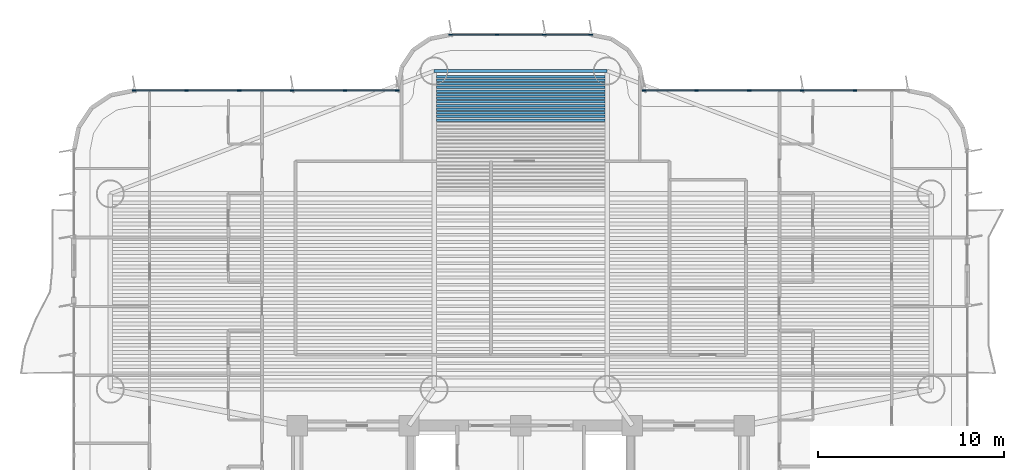
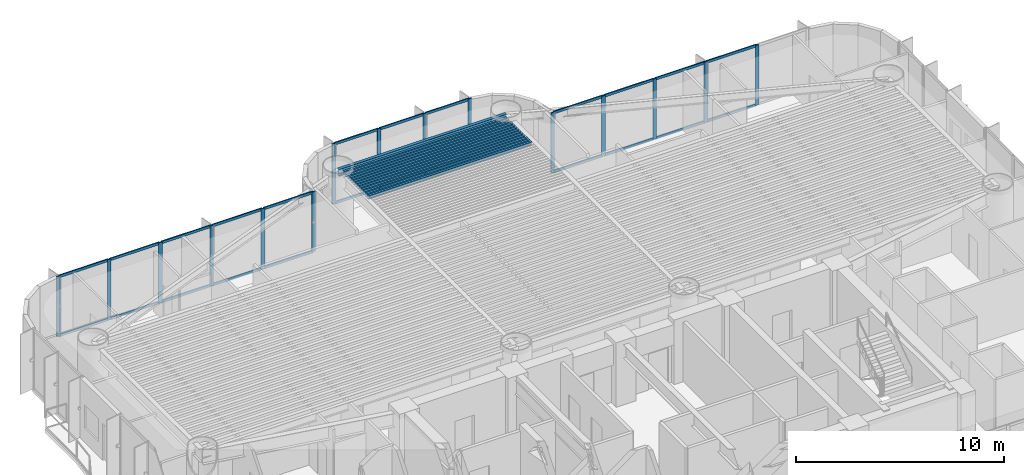
# One storey, part 7 of 19: 39 members, 14 beams, 3 elements without a shape of their own.
"""IFC4 building model written with IfcOpenShell, lengths in metres."""

from ifc_helpers import new_model, si_unit, direction, frame, origin, origin_2d, place, context, subcontext, project, spatial, rectangle, i_section, extrude, source, transform, mapped, material, layer, layer_set, material_profile, profile_set, type_object, element, aggregate, save


model = new_model("IFC4")

# Units and contexts
model_context = context("Model", 3, precision=1e-05, world=origin(), true_north=direction((0.0, 1.0)))
body_context = subcontext(model_context, "Body", "Model", "MODEL_VIEW")
ifc_project = project(units=[si_unit("LENGTHUNIT", "METRE"), si_unit("AREAUNIT", "SQUARE_METRE"), si_unit("VOLUMEUNIT", "CUBIC_METRE"), si_unit("PLANEANGLEUNIT", "RADIAN"), si_unit("MASSUNIT", "GRAM", prefix="KILO")], contexts=[model_context])

# Site, building, storey
site_placement = place(None, origin())
site = spatial("IfcSite", under=ifc_project, at=site_placement, CompositionType="ELEMENT")
building_placement = place(site_placement, origin())
building = spatial("IfcBuilding", under=site, at=building_placement, Name="Brelvock Crest Care Tower", CompositionType="ELEMENT")
storey_placement = place(building_placement, frame((0.0, 0.0, 34.56005859375)))
storey = spatial("IfcBuildingStorey", under=building, at=storey_placement, Name="L08", CompositionType="ELEMENT", Elevation=34.56005859375)

# Beams
ifc_material_1 = material(Name="Steel Grade 350", Category="steel")
ifc_material_profile_1 = material_profile(ifc_material_1, i_section(OverallWidth=0.177978515625, OverallDepth=0.406005859375, WebThickness=0.0078125, FlangeThickness=0.0126953125, FilletRadius=0.011474609375, at=origin_2d()), Name="410UB59.7")
ifc_profile_set_1 = profile_set([ifc_material_profile_1], Name="Steel Grade 350")
beam_type_1 = type_object("IfcBeamType", Name="BM-SP1", PredefinedType="SPANDREL", material=ifc_profile_set_1)
shared_shape_1 = source(origin(), body_context, "Body", "SweptSolid", [
    extrude(i_section(OverallWidth=0.177978515625, OverallDepth=0.406005859375, WebThickness=0.0078125, FlangeThickness=0.0126953125, FilletRadius=0.011474609375, at=origin_2d()), origin(), (0.0, 0.0, 1.0), 9.2998046875),
])
beam_placement = place(storey_placement, frame((31.35009765625, 37.050048828125, 3.326904296875), z_axis=(1.0, 0.0, 0.0), x_axis=(0.0, 1.0, 0.0)))
element("IfcBeam", 1, at=beam_placement, inside=storey, type_object=beam_type_1, Name="BM-TWR-L08-08", PredefinedType="SPANDREL", context=body_context, shape_type="MappedRepresentation", body=[
    mapped(shared_shape_1, transform((0.0, 0.0, 0.0), x_axis=(1.0, 0.0, 0.0), y_axis=(0.0, 1.0, 0.0), z_axis=(0.0, 0.0, 1.0), scale=1.0)),
])
ifc_material_profile_2 = material_profile(ifc_material_1, i_section(OverallWidth=0.134033203125, OverallDepth=0.20703125, WebThickness=0.00634765625, FlangeThickness=0.009521484375, FilletRadius=0.0087890625, at=origin_2d()), Name="200UB29.8")
ifc_profile_set_2 = profile_set([ifc_material_profile_2], Name="Steel Grade 350")
beam_type_2 = type_object("IfcBeamType", Name="BM-J4", PredefinedType="JOIST", material=ifc_profile_set_2)
shared_shape_2 = source(origin(), body_context, "Body", "SweptSolid", [
    extrude(i_section(OverallWidth=0.134033203125, OverallDepth=0.20703125, WebThickness=0.00634765625, FlangeThickness=0.009521484375, FilletRadius=0.0087890625, at=origin_2d()), origin(), (0.0, 0.0, 1.0), 9.06982421875),
])
for number, where, z_axis, x_axis, name in (
    (2, (31.465087890625, 34.413330078125, 3.426513671875), (1.0, 0.0, 0.0), (0.0, 1.0, 0.0), "BM-JN-L08-20"),
    (3, (31.465087890625, 34.60791015625, 3.426513671875), (1.0, 0.0, 0.0), (0.0, 1.0, 0.0), "BM-JN-L08-21"),
    (4, (31.465087890625, 34.802734375, 3.426513671875), (1.0, 0.0, 0.0), (0.0, 1.0, 0.0), "BM-JN-L08-22"),
    (5, (31.465087890625, 34.997314453125, 3.426513671875), (1.0, 0.0, 0.0), (0.0, 1.0, 0.0), "BM-JN-L08-23"),
    (6, (31.465087890625, 35.192138671875, 3.426513671875), (1.0, 0.0, 0.0), (0.0, 1.0, 0.0), "BM-JN-L08-24"),
    (7, (31.465087890625, 35.38671875, 3.426513671875), (1.0, 0.0, 0.0), (0.0, 1.0, 0.0), "BM-JN-L08-25"),
    (8, (31.465087890625, 35.58154296875, 3.426513671875), (1.0, 0.0, 0.0), (0.0, 1.0, 0.0), "BM-JN-L08-26"),
    (9, (31.465087890625, 35.776123046875, 3.426513671875), (1.0, 0.0, 0.0), (0.0, 1.0, 0.0), "BM-JN-L08-27"),
    (10, (31.465087890625, 35.970947265625, 3.426513671875), (1.0, 0.0, 0.0), (0.0, 1.0, 0.0), "BM-JN-L08-28"),
    (11, (31.465087890625, 36.16552734375, 3.426513671875), (1.0, 0.0, 0.0), (0.0, 1.0, 0.0), "BM-JN-L08-29"),
    (12, (31.465087890625, 36.3603515625, 3.426513671875), (1.0, 0.0, 0.0), (0.0, 1.0, 0.0), "BM-JN-L08-30"),
    (13, (31.465087890625, 36.554931640625, 3.426513671875), (1.0, 0.0, 0.0), (0.0, 1.0, 0.0), "BM-JN-L08-31"),
    (14, (31.465087890625, 36.749755859375, 3.426513671875), (1.0, 0.0, 0.0), (0.0, 1.0, 0.0), "BM-JN-L08-32"),
):
    element("IfcBeam", number, at=place(storey_placement, frame(where, z_axis=z_axis, x_axis=x_axis)), inside=storey, type_object=beam_type_2, Name=name, PredefinedType="JOIST", context=body_context, shape_type="MappedRepresentation", body=[
        mapped(shared_shape_2, transform((0.0, 0.0, 0.0), x_axis=(1.0, 0.0, 0.0), y_axis=(0.0, 1.0, 0.0), z_axis=(0.0, 0.0, 1.0), scale=1.0)),
    ])

# Curtain wall, members
ifc_material_2 = material(Name="Dark Glass Double Glazed Low-E", Category="glass")
ifc_layer = layer(ifc_material_2, 0.195068359375, Name="CWS-2")
ifc_layer_set = layer_set([ifc_layer], Name="Dark Glass Double Glazed Low-E")
curtain_wall_type = type_object("IfcCurtainWallType", Name="CWS-2", PredefinedType="NOTDEFINED", material=ifc_layer_set)
curtain_wall_1_placement = place(storey_placement, origin())
curtain_wall_1 = element("IfcCurtainWall", 15, at=curtain_wall_1_placement, inside=storey, type_object=curtain_wall_type, Name="L08 Curtain Wall E18", PredefinedType="NOTDEFINED")
ifc_material_3 = material(Name="Aluminium 6063-T6", Category="aluminium")
ifc_material_profile_3 = material_profile(ifc_material_3, rectangle(XDim=0.06494140625, YDim=0.199951171875, at=origin_2d()), Name="ALU65x200")
ifc_profile_set_3 = profile_set([ifc_material_profile_3], Name="Aluminium 6063-T6")
member_type_1 = type_object("IfcMemberType", Name="CWM-1", PredefinedType="MULLION", material=ifc_profile_set_3)
shared_shape_3 = source(origin(), body_context, "Body", "SweptSolid", [
    extrude(rectangle(XDim=0.06494140625, YDim=0.199951171875, at=origin_2d()), origin(), (0.0, 0.0, 1.0), 3.530029296875),
])
member_1_placement = place(storey_placement, frame((15.232421875, 36.0, 0.0), z_axis=(0.0, 0.0, 1.0), x_axis=(0.0, 1.0, 0.0)))
member_1 = element("IfcMember", 16, at=member_1_placement, type_object=member_type_1, Name="CW-2 mullion 1", PredefinedType="MULLION", context=body_context, shape_type="MappedRepresentation", body=[
    mapped(shared_shape_3, transform((0.0, 0.0, 0.0), x_axis=(1.0, 0.0, 0.0), y_axis=(0.0, 1.0, 0.0), z_axis=(0.0, 0.0, 1.0), scale=1.0)),
])
member_2_placement = place(storey_placement, frame((18.0400390625, 36.0, 0.0), z_axis=(0.0, 0.0, 1.0), x_axis=(0.0, 1.0, 0.0)))
member_2 = element("IfcMember", 17, at=member_2_placement, type_object=member_type_1, Name="CW-2 mullion 2", PredefinedType="MULLION", context=body_context, shape_type="MappedRepresentation", body=[
    mapped(shared_shape_3, transform((0.0, 0.0, 0.0), x_axis=(1.0, 0.0, 0.0), y_axis=(0.0, 1.0, 0.0), z_axis=(0.0, 0.0, 1.0), scale=1.0)),
])
member_3_placement = place(storey_placement, frame((20.8798828125, 36.0, 0.0), z_axis=(0.0, 0.0, 1.0), x_axis=(0.0, 1.0, 0.0)))
member_3 = element("IfcMember", 18, at=member_3_placement, type_object=member_type_1, Name="CW-2 mullion 3", PredefinedType="MULLION", context=body_context, shape_type="MappedRepresentation", body=[
    mapped(shared_shape_3, transform((0.0, 0.0, 0.0), x_axis=(1.0, 0.0, 0.0), y_axis=(0.0, 1.0, 0.0), z_axis=(0.0, 0.0, 1.0), scale=1.0)),
])
member_4_placement = place(storey_placement, frame((23.719970703125, 36.0, 0.0), z_axis=(0.0, 0.0, 1.0), x_axis=(0.0, 1.0, 0.0)))
member_4 = element("IfcMember", 19, at=member_4_placement, type_object=member_type_1, Name="CW-2 mullion 4", PredefinedType="MULLION", context=body_context, shape_type="MappedRepresentation", body=[
    mapped(shared_shape_3, transform((0.0, 0.0, 0.0), x_axis=(1.0, 0.0, 0.0), y_axis=(0.0, 1.0, 0.0), z_axis=(0.0, 0.0, 1.0), scale=1.0)),
])
member_5_placement = place(storey_placement, frame((26.56005859375, 36.0, 0.0), z_axis=(0.0, 0.0, 1.0), x_axis=(0.0, 1.0, 0.0)))
member_5 = element("IfcMember", 20, at=member_5_placement, type_object=member_type_1, Name="CW-2 mullion 5", PredefinedType="MULLION", context=body_context, shape_type="MappedRepresentation", body=[
    mapped(shared_shape_3, transform((0.0, 0.0, 0.0), x_axis=(1.0, 0.0, 0.0), y_axis=(0.0, 1.0, 0.0), z_axis=(0.0, 0.0, 1.0), scale=1.0)),
])
member_6_placement = place(storey_placement, frame((29.367431640625, 36.0, 0.0), z_axis=(0.0, 0.0, 1.0), x_axis=(0.0, 1.0, 0.0)))
member_6 = element("IfcMember", 21, at=member_6_placement, type_object=member_type_1, Name="CW-2 mullion 6", PredefinedType="MULLION", context=body_context, shape_type="MappedRepresentation", body=[
    mapped(shared_shape_3, transform((0.0, 0.0, 0.0), x_axis=(1.0, 0.0, 0.0), y_axis=(0.0, 1.0, 0.0), z_axis=(0.0, 0.0, 1.0), scale=1.0)),
])

curtain_wall_2_placement = place(storey_placement, origin())
curtain_wall_2 = element("IfcCurtainWall", 22, at=curtain_wall_2_placement, inside=storey, type_object=curtain_wall_type, Name="L08 Curtain Wall E24", PredefinedType="NOTDEFINED")
member_7_placement = place(storey_placement, frame((32.232421875, 39.0, 0.0), z_axis=(0.0, 0.0, 1.0), x_axis=(0.0, 1.0, 0.0)))
member_7 = element("IfcMember", 23, at=member_7_placement, type_object=member_type_1, Name="CW-2 mullion 1", PredefinedType="MULLION", context=body_context, shape_type="MappedRepresentation", body=[
    mapped(shared_shape_3, transform((0.0, 0.0, 0.0), x_axis=(1.0, 0.0, 0.0), y_axis=(0.0, 1.0, 0.0), z_axis=(0.0, 0.0, 1.0), scale=1.0)),
])
member_8_placement = place(storey_placement, frame((34.7333984375, 39.0, 0.0), z_axis=(0.0, 0.0, 1.0), x_axis=(0.0, 1.0, 0.0)))
member_8 = element("IfcMember", 24, at=member_8_placement, type_object=member_type_1, Name="CW-2 mullion 2", PredefinedType="MULLION", context=body_context, shape_type="MappedRepresentation", body=[
    mapped(shared_shape_3, transform((0.0, 0.0, 0.0), x_axis=(1.0, 0.0, 0.0), y_axis=(0.0, 1.0, 0.0), z_axis=(0.0, 0.0, 1.0), scale=1.0)),
])
member_9_placement = place(storey_placement, frame((37.2666015625, 39.0, 0.0), z_axis=(0.0, 0.0, 1.0), x_axis=(0.0, 1.0, 0.0)))
member_9 = element("IfcMember", 25, at=member_9_placement, type_object=member_type_1, Name="CW-2 mullion 3", PredefinedType="MULLION", context=body_context, shape_type="MappedRepresentation", body=[
    mapped(shared_shape_3, transform((0.0, 0.0, 0.0), x_axis=(1.0, 0.0, 0.0), y_axis=(0.0, 1.0, 0.0), z_axis=(0.0, 0.0, 1.0), scale=1.0)),
])
member_10_placement = place(storey_placement, frame((39.767578125, 39.0, 0.0), z_axis=(0.0, 0.0, 1.0), x_axis=(0.0, 1.0, 0.0)))
member_10 = element("IfcMember", 26, at=member_10_placement, type_object=member_type_1, Name="CW-2 mullion 4", PredefinedType="MULLION", context=body_context, shape_type="MappedRepresentation", body=[
    mapped(shared_shape_3, transform((0.0, 0.0, 0.0), x_axis=(1.0, 0.0, 0.0), y_axis=(0.0, 1.0, 0.0), z_axis=(0.0, 0.0, 1.0), scale=1.0)),
])

curtain_wall_3_placement = place(storey_placement, origin())
curtain_wall_3 = element("IfcCurtainWall", 27, at=curtain_wall_3_placement, inside=storey, type_object=curtain_wall_type, Name="L08 Curtain Wall E30", PredefinedType="NOTDEFINED")
member_11_placement = place(storey_placement, frame((42.632568359375, 36.0, 0.0), z_axis=(0.0, 0.0, 1.0), x_axis=(0.0, 1.0, 0.0)))
member_11 = element("IfcMember", 28, at=member_11_placement, type_object=member_type_1, Name="CW-2 mullion 1", PredefinedType="MULLION", context=body_context, shape_type="MappedRepresentation", body=[
    mapped(shared_shape_3, transform((0.0, 0.0, 0.0), x_axis=(1.0, 0.0, 0.0), y_axis=(0.0, 1.0, 0.0), z_axis=(0.0, 0.0, 1.0), scale=1.0)),
])
member_12_placement = place(storey_placement, frame((45.43994140625, 36.0, 0.0), z_axis=(0.0, 0.0, 1.0), x_axis=(0.0, 1.0, 0.0)))
member_12 = element("IfcMember", 29, at=member_12_placement, type_object=member_type_1, Name="CW-2 mullion 2", PredefinedType="MULLION", context=body_context, shape_type="MappedRepresentation", body=[
    mapped(shared_shape_3, transform((0.0, 0.0, 0.0), x_axis=(1.0, 0.0, 0.0), y_axis=(0.0, 1.0, 0.0), z_axis=(0.0, 0.0, 1.0), scale=1.0)),
])
member_13_placement = place(storey_placement, frame((48.280029296875, 36.0, 0.0), z_axis=(0.0, 0.0, 1.0), x_axis=(0.0, 1.0, 0.0)))
member_13 = element("IfcMember", 30, at=member_13_placement, type_object=member_type_1, Name="CW-2 mullion 3", PredefinedType="MULLION", context=body_context, shape_type="MappedRepresentation", body=[
    mapped(shared_shape_3, transform((0.0, 0.0, 0.0), x_axis=(1.0, 0.0, 0.0), y_axis=(0.0, 1.0, 0.0), z_axis=(0.0, 0.0, 1.0), scale=1.0)),
])
member_14_placement = place(storey_placement, frame((51.1201171875, 36.0, 0.0), z_axis=(0.0, 0.0, 1.0), x_axis=(0.0, 1.0, 0.0)))
member_14 = element("IfcMember", 31, at=member_14_placement, type_object=member_type_1, Name="CW-2 mullion 4", PredefinedType="MULLION", context=body_context, shape_type="MappedRepresentation", body=[
    mapped(shared_shape_3, transform((0.0, 0.0, 0.0), x_axis=(1.0, 0.0, 0.0), y_axis=(0.0, 1.0, 0.0), z_axis=(0.0, 0.0, 1.0), scale=1.0)),
])
member_15_placement = place(storey_placement, frame((53.9599609375, 36.0, 0.0), z_axis=(0.0, 0.0, 1.0), x_axis=(0.0, 1.0, 0.0)))
member_15 = element("IfcMember", 32, at=member_15_placement, type_object=member_type_1, Name="CW-2 mullion 5", PredefinedType="MULLION", context=body_context, shape_type="MappedRepresentation", body=[
    mapped(shared_shape_3, transform((0.0, 0.0, 0.0), x_axis=(1.0, 0.0, 0.0), y_axis=(0.0, 1.0, 0.0), z_axis=(0.0, 0.0, 1.0), scale=1.0)),
])

# Member
ifc_material_profile_4 = material_profile(ifc_material_3, rectangle(XDim=0.06494140625, YDim=0.14990234375, at=origin_2d()), Name="ALU65x150")
ifc_profile_set_4 = profile_set([ifc_material_profile_4], Name="Aluminium 6063-T6")
member_type_2 = type_object("IfcMemberType", Name="CWT-1", PredefinedType="USERDEFINED", material=ifc_profile_set_4)
shared_shape_4 = source(origin(), body_context, "Body", "SweptSolid", [
    extrude(rectangle(XDim=0.06494140625, YDim=0.14990234375, at=origin_2d()), origin(), (0.0, 0.0, 1.0), 2.74267578125),
])
member_16_placement = place(storey_placement, frame((15.264892578125, 36.0, 0.032470703125), z_axis=(1.0, 0.0, 0.0), x_axis=(0.0, 1.0, 0.0)))
member_16 = element("IfcMember", 33, at=member_16_placement, type_object=member_type_2, Name="CW-2 transom 1.1", ObjectType="TRANSOM", PredefinedType="USERDEFINED", context=body_context, shape_type="MappedRepresentation", body=[
    mapped(shared_shape_4, transform((0.0, 0.0, 0.0), x_axis=(1.0, 0.0, 0.0), y_axis=(0.0, 1.0, 0.0), z_axis=(0.0, 0.0, 1.0), scale=1.0)),
])

member_17_placement = place(storey_placement, frame((15.264892578125, 36.0, 3.49755859375), z_axis=(1.0, 0.0, 0.0), x_axis=(0.0, 1.0, 0.0)))
member_17 = element("IfcMember", 34, at=member_17_placement, type_object=member_type_2, Name="CW-2 transom 1.2", ObjectType="TRANSOM", PredefinedType="USERDEFINED", context=body_context, shape_type="MappedRepresentation", body=[
    mapped(shared_shape_4, transform((0.0, 0.0, 0.0), x_axis=(1.0, 0.0, 0.0), y_axis=(0.0, 1.0, 0.0), z_axis=(0.0, 0.0, 1.0), scale=1.0)),
])

shared_shape_5 = source(origin(), body_context, "Body", "SweptSolid", [
    extrude(rectangle(XDim=0.06494140625, YDim=0.14990234375, at=origin_2d()), origin(), (0.0, 0.0, 1.0), 2.77490234375),
])
member_18_placement = place(storey_placement, frame((18.072509765625, 36.0, 0.032470703125), z_axis=(1.0, 0.0, 0.0), x_axis=(0.0, 1.0, 0.0)))
member_18 = element("IfcMember", 35, at=member_18_placement, type_object=member_type_2, Name="CW-2 transom 2.1", ObjectType="TRANSOM", PredefinedType="USERDEFINED", context=body_context, shape_type="MappedRepresentation", body=[
    mapped(shared_shape_5, transform((0.0, 0.0, 0.0), x_axis=(1.0, 0.0, 0.0), y_axis=(0.0, 1.0, 0.0), z_axis=(0.0, 0.0, 1.0), scale=1.0)),
])

member_19_placement = place(storey_placement, frame((18.072509765625, 36.0, 3.49755859375), z_axis=(1.0, 0.0, 0.0), x_axis=(0.0, 1.0, 0.0)))
member_19 = element("IfcMember", 36, at=member_19_placement, type_object=member_type_2, Name="CW-2 transom 2.2", ObjectType="TRANSOM", PredefinedType="USERDEFINED", context=body_context, shape_type="MappedRepresentation", body=[
    mapped(shared_shape_5, transform((0.0, 0.0, 0.0), x_axis=(1.0, 0.0, 0.0), y_axis=(0.0, 1.0, 0.0), z_axis=(0.0, 0.0, 1.0), scale=1.0)),
])

member_20_placement = place(storey_placement, frame((20.91259765625, 36.0, 0.032470703125), z_axis=(1.0, 0.0, 0.0), x_axis=(0.0, 1.0, 0.0)))
member_20 = element("IfcMember", 37, at=member_20_placement, type_object=member_type_2, Name="CW-2 transom 3.1", ObjectType="TRANSOM", PredefinedType="USERDEFINED", context=body_context, shape_type="MappedRepresentation", body=[
    mapped(shared_shape_5, transform((0.0, 0.0, 0.0), x_axis=(1.0, 0.0, 0.0), y_axis=(0.0, 1.0, 0.0), z_axis=(0.0, 0.0, 1.0), scale=1.0)),
])

member_21_placement = place(storey_placement, frame((20.91259765625, 36.0, 3.49755859375), z_axis=(1.0, 0.0, 0.0), x_axis=(0.0, 1.0, 0.0)))
member_21 = element("IfcMember", 38, at=member_21_placement, type_object=member_type_2, Name="CW-2 transom 3.2", ObjectType="TRANSOM", PredefinedType="USERDEFINED", context=body_context, shape_type="MappedRepresentation", body=[
    mapped(shared_shape_5, transform((0.0, 0.0, 0.0), x_axis=(1.0, 0.0, 0.0), y_axis=(0.0, 1.0, 0.0), z_axis=(0.0, 0.0, 1.0), scale=1.0)),
])

member_22_placement = place(storey_placement, frame((48.3125, 36.0, 0.032470703125), z_axis=(1.0, 0.0, 0.0), x_axis=(0.0, 1.0, 0.0)))
member_22 = element("IfcMember", 39, at=member_22_placement, type_object=member_type_2, Name="CW-2 transom 3.1", ObjectType="TRANSOM", PredefinedType="USERDEFINED", context=body_context, shape_type="MappedRepresentation", body=[
    mapped(shared_shape_5, transform((0.0, 0.0, 0.0), x_axis=(1.0, 0.0, 0.0), y_axis=(0.0, 1.0, 0.0), z_axis=(0.0, 0.0, 1.0), scale=1.0)),
])

member_23_placement = place(storey_placement, frame((48.3125, 36.0, 3.49755859375), z_axis=(1.0, 0.0, 0.0), x_axis=(0.0, 1.0, 0.0)))
member_23 = element("IfcMember", 40, at=member_23_placement, type_object=member_type_2, Name="CW-2 transom 3.2", ObjectType="TRANSOM", PredefinedType="USERDEFINED", context=body_context, shape_type="MappedRepresentation", body=[
    mapped(shared_shape_5, transform((0.0, 0.0, 0.0), x_axis=(1.0, 0.0, 0.0), y_axis=(0.0, 1.0, 0.0), z_axis=(0.0, 0.0, 1.0), scale=1.0)),
])

member_24_placement = place(storey_placement, frame((51.152587890625, 36.0, 0.032470703125), z_axis=(1.0, 0.0, 0.0), x_axis=(0.0, 1.0, 0.0)))
member_24 = element("IfcMember", 41, at=member_24_placement, type_object=member_type_2, Name="CW-2 transom 4.1", ObjectType="TRANSOM", PredefinedType="USERDEFINED", context=body_context, shape_type="MappedRepresentation", body=[
    mapped(shared_shape_5, transform((0.0, 0.0, 0.0), x_axis=(1.0, 0.0, 0.0), y_axis=(0.0, 1.0, 0.0), z_axis=(0.0, 0.0, 1.0), scale=1.0)),
])

member_25_placement = place(storey_placement, frame((51.152587890625, 36.0, 3.49755859375), z_axis=(1.0, 0.0, 0.0), x_axis=(0.0, 1.0, 0.0)))
member_25 = element("IfcMember", 42, at=member_25_placement, type_object=member_type_2, Name="CW-2 transom 4.2", ObjectType="TRANSOM", PredefinedType="USERDEFINED", context=body_context, shape_type="MappedRepresentation", body=[
    mapped(shared_shape_5, transform((0.0, 0.0, 0.0), x_axis=(1.0, 0.0, 0.0), y_axis=(0.0, 1.0, 0.0), z_axis=(0.0, 0.0, 1.0), scale=1.0)),
])

shared_shape_6 = source(origin(), body_context, "Body", "SweptSolid", [
    extrude(rectangle(XDim=0.06494140625, YDim=0.14990234375, at=origin_2d()), origin(), (0.0, 0.0, 1.0), 2.775146484375),
])
member_26_placement = place(storey_placement, frame((23.75244140625, 36.0, 0.032470703125), z_axis=(1.0, 0.0, 0.0), x_axis=(0.0, 1.0, 0.0)))
member_26 = element("IfcMember", 43, at=member_26_placement, type_object=member_type_2, Name="CW-2 transom 4.1", ObjectType="TRANSOM", PredefinedType="USERDEFINED", context=body_context, shape_type="MappedRepresentation", body=[
    mapped(shared_shape_6, transform((0.0, 0.0, 0.0), x_axis=(1.0, 0.0, 0.0), y_axis=(0.0, 1.0, 0.0), z_axis=(0.0, 0.0, 1.0), scale=1.0)),
])

member_27_placement = place(storey_placement, frame((23.75244140625, 36.0, 3.49755859375), z_axis=(1.0, 0.0, 0.0), x_axis=(0.0, 1.0, 0.0)))
member_27 = element("IfcMember", 44, at=member_27_placement, type_object=member_type_2, Name="CW-2 transom 4.2", ObjectType="TRANSOM", PredefinedType="USERDEFINED", context=body_context, shape_type="MappedRepresentation", body=[
    mapped(shared_shape_6, transform((0.0, 0.0, 0.0), x_axis=(1.0, 0.0, 0.0), y_axis=(0.0, 1.0, 0.0), z_axis=(0.0, 0.0, 1.0), scale=1.0)),
])

member_28_placement = place(storey_placement, frame((45.472412109375, 36.0, 0.032470703125), z_axis=(1.0, 0.0, 0.0), x_axis=(0.0, 1.0, 0.0)))
member_28 = element("IfcMember", 45, at=member_28_placement, type_object=member_type_2, Name="CW-2 transom 2.1", ObjectType="TRANSOM", PredefinedType="USERDEFINED", context=body_context, shape_type="MappedRepresentation", body=[
    mapped(shared_shape_6, transform((0.0, 0.0, 0.0), x_axis=(1.0, 0.0, 0.0), y_axis=(0.0, 1.0, 0.0), z_axis=(0.0, 0.0, 1.0), scale=1.0)),
])

member_29_placement = place(storey_placement, frame((45.472412109375, 36.0, 3.49755859375), z_axis=(1.0, 0.0, 0.0), x_axis=(0.0, 1.0, 0.0)))
member_29 = element("IfcMember", 46, at=member_29_placement, type_object=member_type_2, Name="CW-2 transom 2.2", ObjectType="TRANSOM", PredefinedType="USERDEFINED", context=body_context, shape_type="MappedRepresentation", body=[
    mapped(shared_shape_6, transform((0.0, 0.0, 0.0), x_axis=(1.0, 0.0, 0.0), y_axis=(0.0, 1.0, 0.0), z_axis=(0.0, 0.0, 1.0), scale=1.0)),
])

shared_shape_7 = source(origin(), body_context, "Body", "SweptSolid", [
    extrude(rectangle(XDim=0.06494140625, YDim=0.14990234375, at=origin_2d()), origin(), (0.0, 0.0, 1.0), 2.742431640625),
])
member_30_placement = place(storey_placement, frame((26.592529296875, 36.0, 0.032470703125), z_axis=(1.0, 0.0, 0.0), x_axis=(0.0, 1.0, 0.0)))
member_30 = element("IfcMember", 47, at=member_30_placement, type_object=member_type_2, Name="CW-2 transom 5.1", ObjectType="TRANSOM", PredefinedType="USERDEFINED", context=body_context, shape_type="MappedRepresentation", body=[
    mapped(shared_shape_7, transform((0.0, 0.0, 0.0), x_axis=(1.0, 0.0, 0.0), y_axis=(0.0, 1.0, 0.0), z_axis=(0.0, 0.0, 1.0), scale=1.0)),
])

member_31_placement = place(storey_placement, frame((26.592529296875, 36.0, 3.49755859375), z_axis=(1.0, 0.0, 0.0), x_axis=(0.0, 1.0, 0.0)))
member_31 = element("IfcMember", 48, at=member_31_placement, type_object=member_type_2, Name="CW-2 transom 5.2", ObjectType="TRANSOM", PredefinedType="USERDEFINED", context=body_context, shape_type="MappedRepresentation", body=[
    mapped(shared_shape_7, transform((0.0, 0.0, 0.0), x_axis=(1.0, 0.0, 0.0), y_axis=(0.0, 1.0, 0.0), z_axis=(0.0, 0.0, 1.0), scale=1.0)),
])

aggregate(curtain_wall_1, [member_1, member_2, member_3, member_4, member_5, member_6, member_16, member_17, member_18, member_19, member_20, member_21, member_26, member_27, member_30, member_31])

member_32_placement = place(storey_placement, frame((42.6650390625, 36.0, 0.032470703125), z_axis=(1.0, 0.0, 0.0), x_axis=(0.0, 1.0, 0.0)))
member_32 = element("IfcMember", 49, at=member_32_placement, type_object=member_type_2, Name="CW-2 transom 1.1", ObjectType="TRANSOM", PredefinedType="USERDEFINED", context=body_context, shape_type="MappedRepresentation", body=[
    mapped(shared_shape_7, transform((0.0, 0.0, 0.0), x_axis=(1.0, 0.0, 0.0), y_axis=(0.0, 1.0, 0.0), z_axis=(0.0, 0.0, 1.0), scale=1.0)),
])

member_33_placement = place(storey_placement, frame((42.6650390625, 36.0, 3.49755859375), z_axis=(1.0, 0.0, 0.0), x_axis=(0.0, 1.0, 0.0)))
member_33 = element("IfcMember", 50, at=member_33_placement, type_object=member_type_2, Name="CW-2 transom 1.2", ObjectType="TRANSOM", PredefinedType="USERDEFINED", context=body_context, shape_type="MappedRepresentation", body=[
    mapped(shared_shape_7, transform((0.0, 0.0, 0.0), x_axis=(1.0, 0.0, 0.0), y_axis=(0.0, 1.0, 0.0), z_axis=(0.0, 0.0, 1.0), scale=1.0)),
])

aggregate(curtain_wall_3, [member_11, member_12, member_13, member_14, member_15, member_32, member_33, member_28, member_29, member_22, member_23, member_24, member_25])

shared_shape_8 = source(origin(), body_context, "Body", "SweptSolid", [
    extrude(rectangle(XDim=0.06494140625, YDim=0.14990234375, at=origin_2d()), origin(), (0.0, 0.0, 1.0), 2.43603515625),
])
member_34_placement = place(storey_placement, frame((32.264892578125, 39.0, 0.032470703125), z_axis=(1.0, 0.0, 0.0), x_axis=(0.0, 1.0, 0.0)))
member_34 = element("IfcMember", 51, at=member_34_placement, type_object=member_type_2, Name="CW-2 transom 1.1", ObjectType="TRANSOM", PredefinedType="USERDEFINED", context=body_context, shape_type="MappedRepresentation", body=[
    mapped(shared_shape_8, transform((0.0, 0.0, 0.0), x_axis=(1.0, 0.0, 0.0), y_axis=(0.0, 1.0, 0.0), z_axis=(0.0, 0.0, 1.0), scale=1.0)),
])

member_35_placement = place(storey_placement, frame((32.264892578125, 39.0, 3.49755859375), z_axis=(1.0, 0.0, 0.0), x_axis=(0.0, 1.0, 0.0)))
member_35 = element("IfcMember", 52, at=member_35_placement, type_object=member_type_2, Name="CW-2 transom 1.2", ObjectType="TRANSOM", PredefinedType="USERDEFINED", context=body_context, shape_type="MappedRepresentation", body=[
    mapped(shared_shape_8, transform((0.0, 0.0, 0.0), x_axis=(1.0, 0.0, 0.0), y_axis=(0.0, 1.0, 0.0), z_axis=(0.0, 0.0, 1.0), scale=1.0)),
])

member_36_placement = place(storey_placement, frame((37.299072265625, 39.0, 0.032470703125), z_axis=(1.0, 0.0, 0.0), x_axis=(0.0, 1.0, 0.0)))
member_36 = element("IfcMember", 53, at=member_36_placement, type_object=member_type_2, Name="CW-2 transom 3.1", ObjectType="TRANSOM", PredefinedType="USERDEFINED", context=body_context, shape_type="MappedRepresentation", body=[
    mapped(shared_shape_8, transform((0.0, 0.0, 0.0), x_axis=(1.0, 0.0, 0.0), y_axis=(0.0, 1.0, 0.0), z_axis=(0.0, 0.0, 1.0), scale=1.0)),
])

member_37_placement = place(storey_placement, frame((37.299072265625, 39.0, 3.49755859375), z_axis=(1.0, 0.0, 0.0), x_axis=(0.0, 1.0, 0.0)))
member_37 = element("IfcMember", 54, at=member_37_placement, type_object=member_type_2, Name="CW-2 transom 3.2", ObjectType="TRANSOM", PredefinedType="USERDEFINED", context=body_context, shape_type="MappedRepresentation", body=[
    mapped(shared_shape_8, transform((0.0, 0.0, 0.0), x_axis=(1.0, 0.0, 0.0), y_axis=(0.0, 1.0, 0.0), z_axis=(0.0, 0.0, 1.0), scale=1.0)),
])

shared_shape_9 = source(origin(), body_context, "Body", "SweptSolid", [
    extrude(rectangle(XDim=0.06494140625, YDim=0.14990234375, at=origin_2d()), origin(), (0.0, 0.0, 1.0), 2.46826171875),
])
member_38_placement = place(storey_placement, frame((34.765869140625, 39.0, 0.032470703125), z_axis=(1.0, 0.0, 0.0), x_axis=(0.0, 1.0, 0.0)))
member_38 = element("IfcMember", 55, at=member_38_placement, type_object=member_type_2, Name="CW-2 transom 2.1", ObjectType="TRANSOM", PredefinedType="USERDEFINED", context=body_context, shape_type="MappedRepresentation", body=[
    mapped(shared_shape_9, transform((0.0, 0.0, 0.0), x_axis=(1.0, 0.0, 0.0), y_axis=(0.0, 1.0, 0.0), z_axis=(0.0, 0.0, 1.0), scale=1.0)),
])

member_39_placement = place(storey_placement, frame((34.765869140625, 39.0, 3.49755859375), z_axis=(1.0, 0.0, 0.0), x_axis=(0.0, 1.0, 0.0)))
member_39 = element("IfcMember", 56, at=member_39_placement, type_object=member_type_2, Name="CW-2 transom 2.2", ObjectType="TRANSOM", PredefinedType="USERDEFINED", context=body_context, shape_type="MappedRepresentation", body=[
    mapped(shared_shape_9, transform((0.0, 0.0, 0.0), x_axis=(1.0, 0.0, 0.0), y_axis=(0.0, 1.0, 0.0), z_axis=(0.0, 0.0, 1.0), scale=1.0)),
])

aggregate(curtain_wall_2, [member_7, member_8, member_9, member_10, member_34, member_35, member_38, member_39, member_36, member_37])

save(model, "model.ifc")
